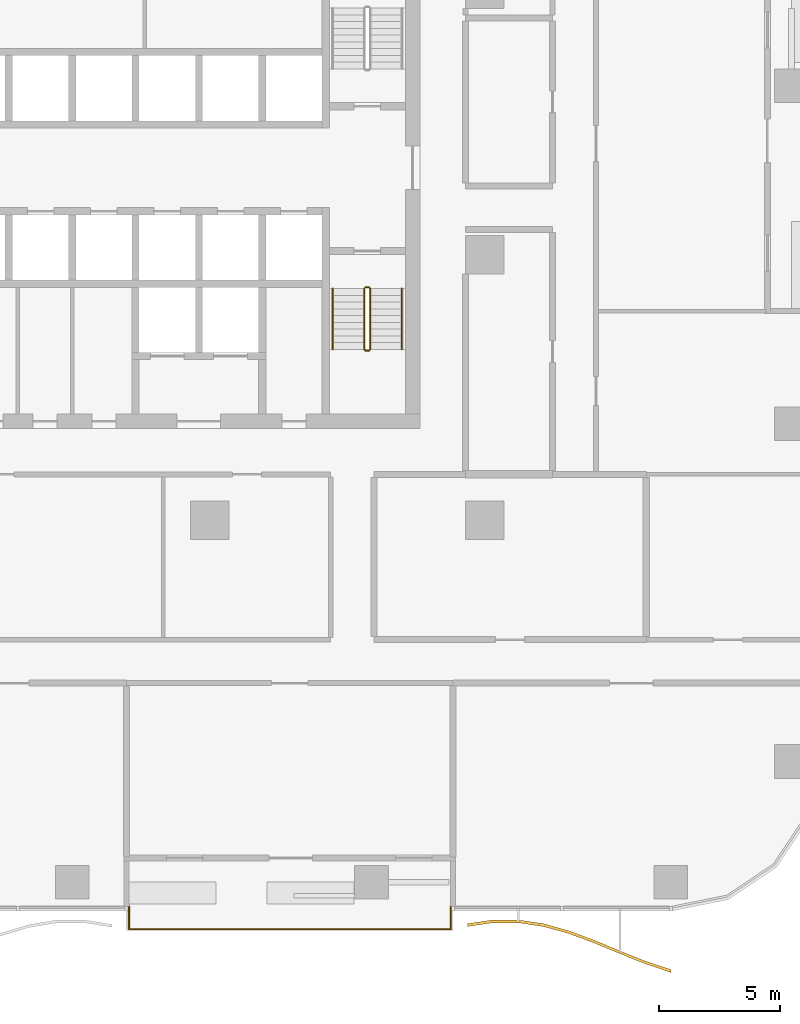
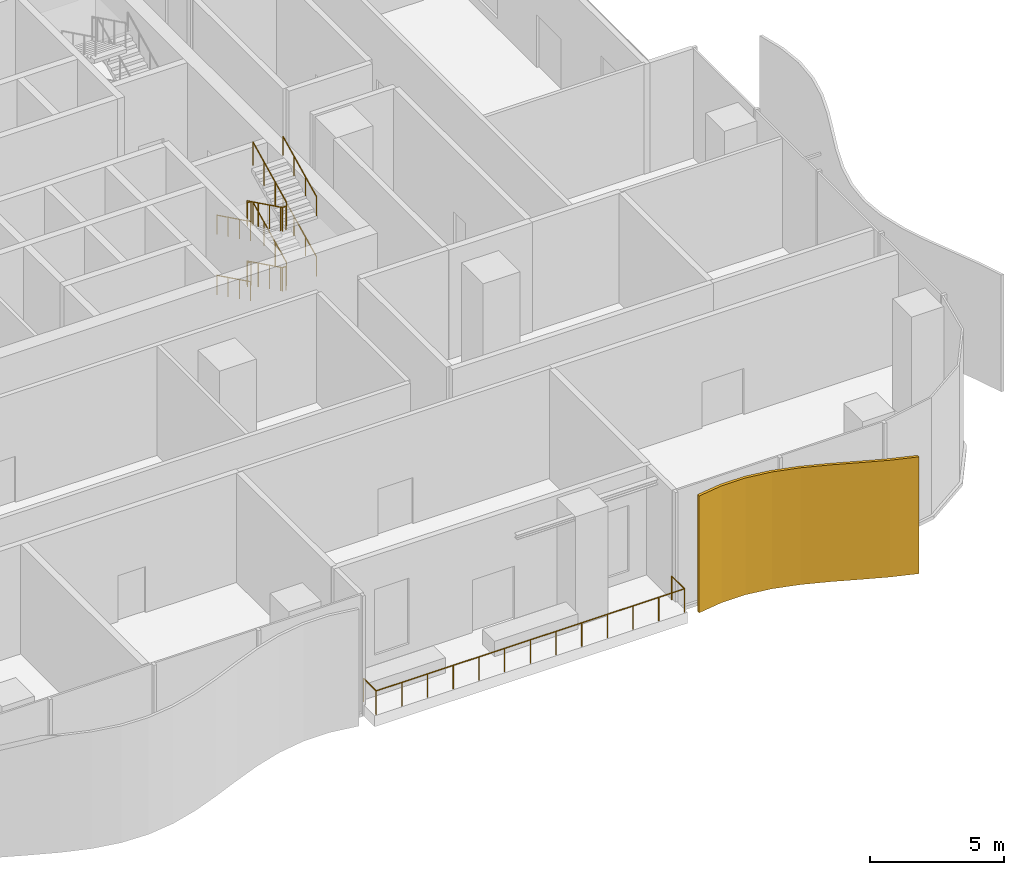
# One storey, part 17 of 21: 10 railings, 1 shading device.
"""IFC4 building model written with IfcOpenShell, lengths in metres."""

from ifc_helpers import new_model, si_unit, direction, frame, origin, origin_2d, place, context, subcontext, project, spatial, polyline, circle, outline, extrude, material, layer, layer_set, type_object, element, save


model = new_model("IFC4")

# Units and contexts
model_context = context("Model", 3, precision=1e-05, world=origin(), true_north=direction((0.0, 1.0)))
body_context = subcontext(model_context, "Body", "Model", "MODEL_VIEW")
ifc_project = project(units=[si_unit("LENGTHUNIT", "METRE"), si_unit("AREAUNIT", "SQUARE_METRE"), si_unit("VOLUMEUNIT", "CUBIC_METRE"), si_unit("PLANEANGLEUNIT", "RADIAN"), si_unit("MASSUNIT", "GRAM", prefix="KILO")], contexts=[model_context])

# Site, building, storey
site_placement = place(None, origin())
site = spatial("IfcSite", under=ifc_project, at=site_placement, CompositionType="ELEMENT")
building_placement = place(site_placement, origin())
building = spatial("IfcBuilding", under=site, at=building_placement, Name="Mopane Tessera Tower", CompositionType="ELEMENT")
storey_placement = place(building_placement, frame((0.0, 0.0, 20.0)))
storey = spatial("IfcBuildingStorey", under=building, at=storey_placement, Name="L03", CompositionType="ELEMENT", Elevation=20.0)

# Railings
ifc_material_1 = material(Name="Powder-coated steel balustrade", Category="steel")
railing_type_1 = type_object("IfcRailingType", Name="Escape stair guard 1100 mm", PredefinedType="GUARDRAIL", material=ifc_material_1)
railing_1_placement = place(storey_placement, frame((12.10009765625, -1.39990234375, 0.137451171875)))
element("IfcRailing", 1, at=railing_1_placement, inside=storey, type_object=railing_type_1, Name="L03 ST3 stair guard 1", PredefinedType="GUARDRAIL", context=body_context, shape_type="SweptSolid", body=[
    extrude(circle(Radius=0.02392578125, at=origin_2d()), frame((0.0, 0.0, 1.076171875), z_axis=(0.0, -0.897604431175, 0.440801866075), x_axis=(1.0, 0.0, 0.0)), (0.0, 0.0, 1.0), 2.807373046875),
    extrude(circle(Radius=0.02392578125, at=origin_2d()), frame((0.0, -2.52001953125, 2.3134765625), z_axis=(0.705375805398, -0.708833529934, 0.0), x_axis=(0.708833529934, 0.705375805398, 0.0)), (0.0, 0.0, 1.0), 0.070556640625),
    extrude(circle(Radius=0.02392578125, at=origin_2d()), frame((0.0498046875, -2.570068359375, 2.3134765625), z_axis=(1.0, 0.0, 0.0), x_axis=(0.0, 1.0, 0.0)), (0.0, 0.0, 1.0), 0.150146484375),
    extrude(circle(Radius=0.02099609375, at=origin_2d()), origin(), (0.0, 0.0, 1.0), 1.052001953125),
    extrude(circle(Radius=0.02099609375, at=origin_2d()), frame((0.0, -0.840087890625, 0.41259765625)), (0.0, 0.0, 1.0), 1.052001953125),
    extrude(circle(Radius=0.02099609375, at=origin_2d()), frame((0.0, -1.679931640625, 0.824951171875)), (0.0, 0.0, 1.0), 1.052001953125),
    extrude(circle(Radius=0.02099609375, at=origin_2d()), frame((0.0, -2.52001953125, 1.237548828125)), (0.0, 0.0, 1.0), 1.052001953125),
    extrude(circle(Radius=0.02099609375, at=origin_2d()), frame((0.0498046875, -2.570068359375, 1.237548828125)), (0.0, 0.0, 1.0), 1.052001953125),
    extrude(circle(Radius=0.02099609375, at=origin_2d()), frame((0.199951171875, -2.570068359375, 1.237548828125)), (0.0, 0.0, 1.0), 1.052001953125),
])
railing_2_placement = place(storey_placement, frame((12.35009765625, -3.919921875, 1.512451171875)))
element("IfcRailing", 2, at=railing_2_placement, inside=storey, type_object=railing_type_1, Name="L03 ST3 stair guard 2", PredefinedType="GUARDRAIL", context=body_context, shape_type="SweptSolid", body=[
    extrude(circle(Radius=0.02392578125, at=origin_2d()), frame((0.0, 0.0, 1.076171875), z_axis=(0.0, 0.897604431175, 0.440801866075), x_axis=(-1.0, 0.0, 0.0)), (0.0, 0.0, 1.0), 2.807373046875),
    extrude(circle(Radius=0.02392578125, at=origin_2d()), frame((0.0, 2.52001953125, 2.3134765625), z_axis=(-0.708833529934, 0.705375805398, 0.0), x_axis=(-0.705375805398, -0.708833529934, 0.0)), (0.0, 0.0, 1.0), 0.070556640625),
    extrude(circle(Radius=0.02392578125, at=origin_2d()), frame((-0.050048828125, 2.56982421875, 2.3134765625), z_axis=(-1.0, 0.0, 0.0), x_axis=(0.0, -1.0, 0.0)), (0.0, 0.0, 1.0), 0.150146484375),
    extrude(circle(Radius=0.02099609375, at=origin_2d()), origin(), (0.0, 0.0, 1.0), 1.052001953125),
    extrude(circle(Radius=0.02099609375, at=origin_2d()), frame((0.0, 0.840087890625, 0.41259765625)), (0.0, 0.0, 1.0), 1.052001953125),
    extrude(circle(Radius=0.02099609375, at=origin_2d()), frame((0.0, 1.679931640625, 0.824951171875)), (0.0, 0.0, 1.0), 1.052001953125),
    extrude(circle(Radius=0.02099609375, at=origin_2d()), frame((0.0, 2.52001953125, 1.237548828125)), (0.0, 0.0, 1.0), 1.052001953125),
    extrude(circle(Radius=0.02099609375, at=origin_2d()), frame((-0.050048828125, 2.56982421875, 1.237548828125)), (0.0, 0.0, 1.0), 1.052001953125),
    extrude(circle(Radius=0.02099609375, at=origin_2d()), frame((-0.2001953125, 2.56982421875, 1.237548828125)), (0.0, 0.0, 1.0), 1.052001953125),
])
railing_3_placement = place(storey_placement, frame((12.10009765625, -1.39990234375, 2.887451171875)))
element("IfcRailing", 3, at=railing_3_placement, inside=storey, type_object=railing_type_1, Name="L03 ST3 stair guard 3", PredefinedType="GUARDRAIL", context=body_context, shape_type="SweptSolid", body=[
    extrude(circle(Radius=0.02392578125, at=origin_2d()), frame((0.0, 0.0, 1.076171875), z_axis=(0.0, -0.897604431175, 0.440801866075), x_axis=(1.0, 0.0, 0.0)), (0.0, 0.0, 1.0), 2.807373046875),
    extrude(circle(Radius=0.02392578125, at=origin_2d()), frame((0.0, -2.52001953125, 2.3134765625), z_axis=(0.705375805398, -0.708833529934, 0.0), x_axis=(0.708833529934, 0.705375805398, 0.0)), (0.0, 0.0, 1.0), 0.070556640625),
    extrude(circle(Radius=0.02392578125, at=origin_2d()), frame((0.0498046875, -2.570068359375, 2.3134765625), z_axis=(1.0, 0.0, 0.0), x_axis=(0.0, 1.0, 0.0)), (0.0, 0.0, 1.0), 0.150146484375),
    extrude(circle(Radius=0.02099609375, at=origin_2d()), origin(), (0.0, 0.0, 1.0), 1.052001953125),
    extrude(circle(Radius=0.02099609375, at=origin_2d()), frame((0.0, -0.840087890625, 0.41259765625)), (0.0, 0.0, 1.0), 1.052001953125),
    extrude(circle(Radius=0.02099609375, at=origin_2d()), frame((0.0, -1.679931640625, 0.824951171875)), (0.0, 0.0, 1.0), 1.052001953125),
    extrude(circle(Radius=0.02099609375, at=origin_2d()), frame((0.0, -2.52001953125, 1.237548828125)), (0.0, 0.0, 1.0), 1.052001953125),
    extrude(circle(Radius=0.02099609375, at=origin_2d()), frame((0.0498046875, -2.570068359375, 1.237548828125)), (0.0, 0.0, 1.0), 1.052001953125),
    extrude(circle(Radius=0.02099609375, at=origin_2d()), frame((0.199951171875, -2.570068359375, 1.237548828125)), (0.0, 0.0, 1.0), 1.052001953125),
])
railing_4_placement = place(storey_placement, frame((12.35009765625, -3.919921875, 4.262451171875)))
element("IfcRailing", 4, at=railing_4_placement, inside=storey, type_object=railing_type_1, Name="L03 ST3 stair guard 4", PredefinedType="GUARDRAIL", context=body_context, shape_type="SweptSolid", body=[
    extrude(circle(Radius=0.02392578125, at=origin_2d()), frame((0.0, 0.0, 1.076171875), z_axis=(0.0, 0.897604431175, 0.440801866075), x_axis=(-1.0, 0.0, 0.0)), (0.0, 0.0, 1.0), 2.807373046875),
    extrude(circle(Radius=0.02099609375, at=origin_2d()), origin(), (0.0, 0.0, 1.0), 1.052001953125),
    extrude(circle(Radius=0.02099609375, at=origin_2d()), frame((0.0, 0.840087890625, 0.41259765625)), (0.0, 0.0, 1.0), 1.052001953125),
    extrude(circle(Radius=0.02099609375, at=origin_2d()), frame((0.0, 1.679931640625, 0.824951171875)), (0.0, 0.0, 1.0), 1.052001953125),
    extrude(circle(Radius=0.02099609375, at=origin_2d()), frame((0.0, 2.52001953125, 1.237548828125)), (0.0, 0.0, 1.0), 1.052001953125),
])
railing_5_placement = place(storey_placement, frame((12.14990234375, -1.35009765625, 0.0)))
element("IfcRailing", 5, at=railing_5_placement, inside=storey, type_object=railing_type_1, Name="L03 ST3 stair guard 5", PredefinedType="GUARDRAIL", context=body_context, shape_type="SweptSolid", body=[
    extrude(circle(Radius=0.02392578125, at=origin_2d()), frame((0.0, 0.0, 1.076171875), z_axis=(1.0, 0.0, 0.0), x_axis=(0.0, 1.0, 0.0)), (0.0, 0.0, 1.0), 0.150146484375),
    extrude(circle(Radius=0.02099609375, at=origin_2d()), origin(), (0.0, 0.0, 1.0), 1.052001953125),
    extrude(circle(Radius=0.02099609375, at=origin_2d()), frame((0.150146484375, 0.0, 0.0)), (0.0, 0.0, 1.0), 1.052001953125),
])
ifc_material_2 = material(Name="Powder-coated steel balustrade", Category="steel")
railing_type_2 = type_object("IfcRailingType", Name="Escape stair handrail 900 mm", PredefinedType="HANDRAIL", material=ifc_material_2)
railing_6_placement = place(storey_placement, frame((10.800048828125, -1.39990234375, 0.137451171875)))
element("IfcRailing", 6, at=railing_6_placement, inside=storey, type_object=railing_type_2, Name="L03 ST3 stair handrail 1", PredefinedType="HANDRAIL", context=body_context, shape_type="SweptSolid", body=[
    extrude(circle(Radius=0.02392578125, at=origin_2d()), frame((0.0, 0.0, 0.8759765625), z_axis=(0.0, -0.897604431175, 0.440801866075), x_axis=(1.0, 0.0, 0.0)), (0.0, 0.0, 1.0), 2.807373046875),
    extrude(circle(Radius=0.02099609375, at=origin_2d()), origin(), (0.0, 0.0, 1.0), 0.851806640625),
    extrude(circle(Radius=0.02099609375, at=origin_2d()), frame((0.0, -0.840087890625, 0.41259765625)), (0.0, 0.0, 1.0), 0.851806640625),
    extrude(circle(Radius=0.02099609375, at=origin_2d()), frame((0.0, -1.679931640625, 0.824951171875)), (0.0, 0.0, 1.0), 0.851806640625),
    extrude(circle(Radius=0.02099609375, at=origin_2d()), frame((0.0, -2.52001953125, 1.237548828125)), (0.0, 0.0, 1.0), 0.851806640625),
])
railing_7_placement = place(storey_placement, frame((13.64990234375, -3.919921875, 1.512451171875)))
element("IfcRailing", 7, at=railing_7_placement, inside=storey, type_object=railing_type_2, Name="L03 ST3 stair handrail 2", PredefinedType="HANDRAIL", context=body_context, shape_type="SweptSolid", body=[
    extrude(circle(Radius=0.02392578125, at=origin_2d()), frame((0.0, 0.0, 0.8759765625), z_axis=(0.0, 0.897604431175, 0.440801866075), x_axis=(-1.0, 0.0, 0.0)), (0.0, 0.0, 1.0), 2.807373046875),
    extrude(circle(Radius=0.02099609375, at=origin_2d()), origin(), (0.0, 0.0, 1.0), 0.851806640625),
    extrude(circle(Radius=0.02099609375, at=origin_2d()), frame((0.0, 0.840087890625, 0.41259765625)), (0.0, 0.0, 1.0), 0.851806640625),
    extrude(circle(Radius=0.02099609375, at=origin_2d()), frame((0.0, 1.679931640625, 0.824951171875)), (0.0, 0.0, 1.0), 0.851806640625),
    extrude(circle(Radius=0.02099609375, at=origin_2d()), frame((0.0, 2.52001953125, 1.237548828125)), (0.0, 0.0, 1.0), 0.851806640625),
])
railing_8_placement = place(storey_placement, frame((10.800048828125, -1.39990234375, 2.887451171875)))
element("IfcRailing", 8, at=railing_8_placement, inside=storey, type_object=railing_type_2, Name="L03 ST3 stair handrail 3", PredefinedType="HANDRAIL", context=body_context, shape_type="SweptSolid", body=[
    extrude(circle(Radius=0.02392578125, at=origin_2d()), frame((0.0, 0.0, 0.8759765625), z_axis=(0.0, -0.897604431175, 0.440801866075), x_axis=(1.0, 0.0, 0.0)), (0.0, 0.0, 1.0), 2.807373046875),
    extrude(circle(Radius=0.02099609375, at=origin_2d()), origin(), (0.0, 0.0, 1.0), 0.851806640625),
    extrude(circle(Radius=0.02099609375, at=origin_2d()), frame((0.0, -0.840087890625, 0.41259765625)), (0.0, 0.0, 1.0), 0.851806640625),
    extrude(circle(Radius=0.02099609375, at=origin_2d()), frame((0.0, -1.679931640625, 0.824951171875)), (0.0, 0.0, 1.0), 0.851806640625),
    extrude(circle(Radius=0.02099609375, at=origin_2d()), frame((0.0, -2.52001953125, 1.237548828125)), (0.0, 0.0, 1.0), 0.851806640625),
])
railing_9_placement = place(storey_placement, frame((13.64990234375, -3.919921875, 4.262451171875)))
element("IfcRailing", 9, at=railing_9_placement, inside=storey, type_object=railing_type_2, Name="L03 ST3 stair handrail 4", PredefinedType="HANDRAIL", context=body_context, shape_type="SweptSolid", body=[
    extrude(circle(Radius=0.02392578125, at=origin_2d()), frame((0.0, 0.0, 0.8759765625), z_axis=(0.0, 0.897604431175, 0.440801866075), x_axis=(-1.0, 0.0, 0.0)), (0.0, 0.0, 1.0), 2.807373046875),
    extrude(circle(Radius=0.02099609375, at=origin_2d()), origin(), (0.0, 0.0, 1.0), 0.851806640625),
    extrude(circle(Radius=0.02099609375, at=origin_2d()), frame((0.0, 0.840087890625, 0.41259765625)), (0.0, 0.0, 1.0), 0.851806640625),
    extrude(circle(Radius=0.02099609375, at=origin_2d()), frame((0.0, 1.679931640625, 0.824951171875)), (0.0, 0.0, 1.0), 0.851806640625),
    extrude(circle(Radius=0.02099609375, at=origin_2d()), frame((0.0, 2.52001953125, 1.237548828125)), (0.0, 0.0, 1.0), 0.851806640625),
])
ifc_material_3 = material(Name="Stainless steel S316", Category="steel")
railing_type_3 = type_object("IfcRailingType", Name="Terrace guard 1100", PredefinedType="GUARDRAIL", material=ifc_material_3)
railing_10_placement = place(storey_placement, frame((2.3544921875, -27.0, 0.0)))
element("IfcRailing", 10, at=railing_10_placement, inside=storey, type_object=railing_type_3, Name="e:nw:L03:N1:guard", PredefinedType="GUARDRAIL", context=body_context, shape_type="SweptSolid", body=[
    extrude(circle(Radius=0.02392578125, at=origin_2d()), frame((0.0, 0.0, 1.076171875), z_axis=(0.0, -1.0, 0.0), x_axis=(1.0, 0.0, 0.0)), (0.0, 0.0, 1.0), 0.949951171875),
    extrude(circle(Radius=0.02392578125, at=origin_2d()), frame((0.0, -0.949951171875, 1.076171875), z_axis=(1.0, 0.0, 0.0), x_axis=(0.0, 1.0, 0.0)), (0.0, 0.0, 1.0), 13.327392578125),
    extrude(circle(Radius=0.02392578125, at=origin_2d()), frame((13.327392578125, -0.949951171875, 1.076171875), z_axis=(0.0, 1.0, 0.0), x_axis=(-1.0, 0.0, 0.0)), (0.0, 0.0, 1.0), 0.949951171875),
    extrude(circle(Radius=0.02099609375, at=origin_2d()), origin(), (0.0, 0.0, 1.0), 1.052001953125),
    extrude(circle(Radius=0.02099609375, at=origin_2d()), frame((0.0, -0.949951171875, 0.0)), (0.0, 0.0, 1.0), 1.052001953125),
    extrude(circle(Radius=0.02099609375, at=origin_2d()), frame((1.110595703125, -0.949951171875, 0.0)), (0.0, 0.0, 1.0), 1.052001953125),
    extrude(circle(Radius=0.02099609375, at=origin_2d()), frame((2.22119140625, -0.949951171875, 0.0)), (0.0, 0.0, 1.0), 1.052001953125),
    extrude(circle(Radius=0.02099609375, at=origin_2d()), frame((3.331787109375, -0.949951171875, 0.0)), (0.0, 0.0, 1.0), 1.052001953125),
    extrude(circle(Radius=0.02099609375, at=origin_2d()), frame((4.4423828125, -0.949951171875, 0.0)), (0.0, 0.0, 1.0), 1.052001953125),
    extrude(circle(Radius=0.02099609375, at=origin_2d()), frame((5.552978515625, -0.949951171875, 0.0)), (0.0, 0.0, 1.0), 1.052001953125),
    extrude(circle(Radius=0.02099609375, at=origin_2d()), frame((6.66357421875, -0.949951171875, 0.0)), (0.0, 0.0, 1.0), 1.052001953125),
    extrude(circle(Radius=0.02099609375, at=origin_2d()), frame((7.7744140625, -0.949951171875, 0.0)), (0.0, 0.0, 1.0), 1.052001953125),
    extrude(circle(Radius=0.02099609375, at=origin_2d()), frame((8.885009765625, -0.949951171875, 0.0)), (0.0, 0.0, 1.0), 1.052001953125),
    extrude(circle(Radius=0.02099609375, at=origin_2d()), frame((9.99560546875, -0.949951171875, 0.0)), (0.0, 0.0, 1.0), 1.052001953125),
    extrude(circle(Radius=0.02099609375, at=origin_2d()), frame((11.106201171875, -0.949951171875, 0.0)), (0.0, 0.0, 1.0), 1.052001953125),
    extrude(circle(Radius=0.02099609375, at=origin_2d()), frame((12.216796875, -0.949951171875, 0.0)), (0.0, 0.0, 1.0), 1.052001953125),
    extrude(circle(Radius=0.02099609375, at=origin_2d()), frame((13.327392578125, -0.949951171875, 0.0)), (0.0, 0.0, 1.0), 1.052001953125),
    extrude(circle(Radius=0.02099609375, at=origin_2d()), frame((13.327392578125, 0.0, 0.0)), (0.0, 0.0, 1.0), 1.052001953125),
])

# Shading device
ifc_material_4 = material(Name="Anodised aluminium louvre blades", Category="aluminium")
ifc_layer = layer(ifc_material_4, 0.1201171875)
ifc_layer_set = layer_set([ifc_layer], Name="Anodised aluminium louvre blades")
shading_device_type = type_object("IfcShadingDeviceType", Name="Wave louvre screen", PredefinedType="JALOUSIE", material=ifc_layer_set)
shading_device_placement = place(storey_placement, frame((0.0, 0.0, -0.340087890625)))
element("IfcShadingDevice", 11, at=shading_device_placement, inside=storey, type_object=shading_device_type, Name="e:lv:L03:S:1", PredefinedType="JALOUSIE", context=body_context, shape_type="SweptSolid", body=[
    extrude(outline(polyline([(16.3818359375, -27.71533203125), (17.43408203125, -27.559326171875), (18.486328125, -27.56103515625), (19.53857421875, -27.7197265625), (20.5908203125, -28.014892578125), (21.64306640625, -28.406494140625), (22.695556640625, -28.8427734375), (23.747802734375, -29.26513671875), (24.800048828125, -29.61767578125), (24.800048828125, -29.737548828125), (23.747802734375, -29.38525390625), (22.695556640625, -28.962646484375), (21.64306640625, -28.526611328125), (20.5908203125, -28.134765625), (19.53857421875, -27.83984375), (18.486328125, -27.680908203125), (17.43408203125, -27.679443359375), (16.3818359375, -27.83544921875), (16.3818359375, -27.71533203125)])), origin(), (0.0, 0.0, 1.0), 5.340087890625),
])

save(model, "model.ifc")
